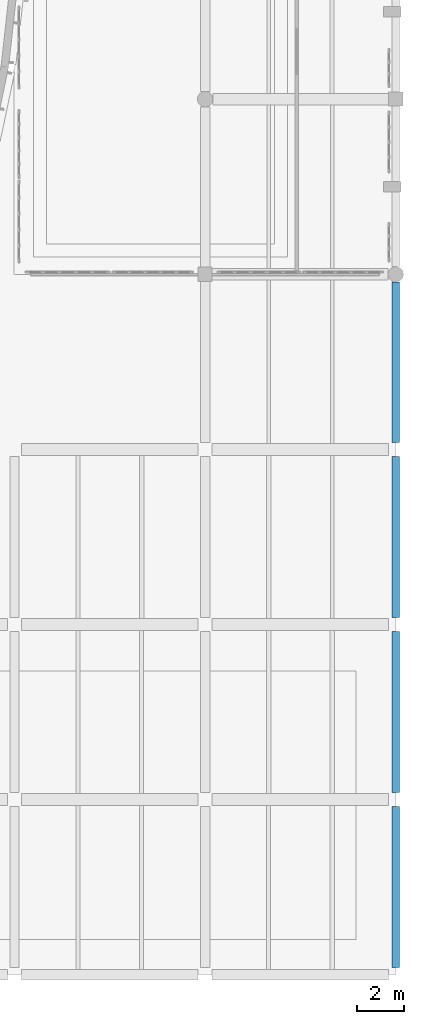
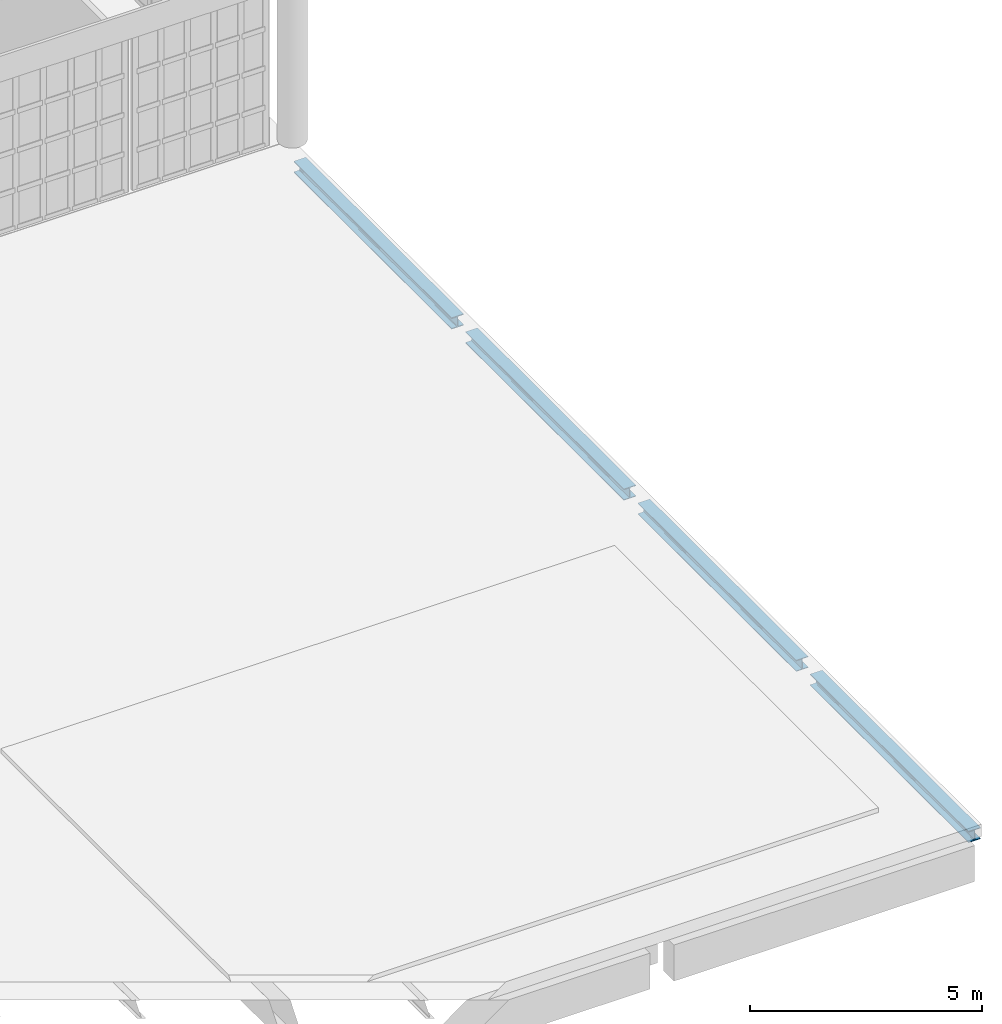
# One storey, part 269 of 372: 4 beams.
"""IFC4 building model written with IfcOpenShell, lengths in metres."""

from ifc_helpers import new_model, si_unit, direction, frame, origin, origin_2d, place, context, subcontext, project, spatial, i_section, extrude, material, material_profile, profile_set, type_object, element, save


model = new_model("IFC4")

# Units and contexts
model_context = context("Model", 3, precision=1e-05, world=origin(), true_north=direction((0.0, 1.0)))
body_context = subcontext(model_context, "Body", "Model", "MODEL_VIEW")
ifc_project = project(units=[si_unit("LENGTHUNIT", "METRE"), si_unit("AREAUNIT", "SQUARE_METRE"), si_unit("VOLUMEUNIT", "CUBIC_METRE"), si_unit("PLANEANGLEUNIT", "RADIAN"), si_unit("MASSUNIT", "GRAM", prefix="KILO")], contexts=[model_context])

# Site, building, storey
site_placement = place(None, origin())
site = spatial("IfcSite", under=ifc_project, at=site_placement, CompositionType="ELEMENT")
building_placement = place(site_placement, origin())
building = spatial("IfcBuilding", under=site, at=building_placement, Name="Kaelora Sail Theatre", CompositionType="ELEMENT")
storey_placement = place(building_placement, origin())
storey = spatial("IfcBuildingStorey", under=building, at=storey_placement, Name="L00", CompositionType="ELEMENT", Elevation=0.0)

# Beams
ifc_material = material(Name="Steel S355", Category="steel")
ifc_material_profile = material_profile(ifc_material, i_section(OverallWidth=0.300048828125, OverallDepth=0.300048828125, WebThickness=0.010986328125, FlangeThickness=0.01904296875, FilletRadius=0.027099609375, at=origin_2d()), Name="HEB 300")
ifc_profile_set = profile_set([ifc_material_profile], Name="Steel S355")
beam_type = type_object("IfcBeamType", Name="STR-BM-SP-HEB300", PredefinedType="SPANDREL", material=ifc_profile_set)
beam_1_placement = place(storey_placement, frame((163.5, 1.800048828125, -0.469970703125), z_axis=(0.0, 1.0, 0.0), x_axis=(-1.0, 0.0, 0.0)))
element("IfcBeam", 1, at=beam_1_placement, inside=storey, type_object=beam_type, Name="Primary beam 21 A-B (L00)", PredefinedType="SPANDREL", context=body_context, shape_type="SweptSolid", body=[
    extrude(i_section(OverallWidth=0.300048828125, OverallDepth=0.300048828125, WebThickness=0.010986328125, FlangeThickness=0.01904296875, FilletRadius=0.027099609375, at=origin_2d()), origin(), (0.0, 0.0, 1.0), 6.83984375),
])
for number, where, z_axis, x_axis, name in (
    (2, (163.5, 9.239990234375, -0.469970703125), (0.0, 1.0, 0.0), (-1.0, 0.0, 0.0), "Primary beam 21 B-C (L00)"),
    (3, (163.5, 16.679931640625, -0.469970703125), (0.0, 1.0, 0.0), (-1.0, 0.0, 0.0), "Primary beam 21 C-D (L00)"),
):
    element("IfcBeam", number, at=place(storey_placement, frame(where, z_axis=z_axis, x_axis=x_axis)), inside=storey, type_object=beam_type, Name=name, PredefinedType="SPANDREL", context=body_context, shape_type="SweptSolid", body=[
        extrude(i_section(OverallWidth=0.300048828125, OverallDepth=0.300048828125, WebThickness=0.010986328125, FlangeThickness=0.01904296875, FilletRadius=0.027099609375, at=origin_2d()), origin(), (0.0, 0.0, 1.0), 6.840087890625),
    ])
beam_2_placement = place(storey_placement, frame((163.5, 24.1201171875, -0.469970703125), z_axis=(0.0, 1.0, 0.0), x_axis=(-1.0, 0.0, 0.0)))
element("IfcBeam", 4, at=beam_2_placement, inside=storey, type_object=beam_type, Name="Primary beam 21 D-E (L00)", PredefinedType="SPANDREL", context=body_context, shape_type="SweptSolid", body=[
    extrude(i_section(OverallWidth=0.300048828125, OverallDepth=0.300048828125, WebThickness=0.010986328125, FlangeThickness=0.01904296875, FilletRadius=0.027099609375, at=origin_2d()), origin(), (0.0, 0.0, 1.0), 6.81494140625),
])

save(model, "model.ifc")
